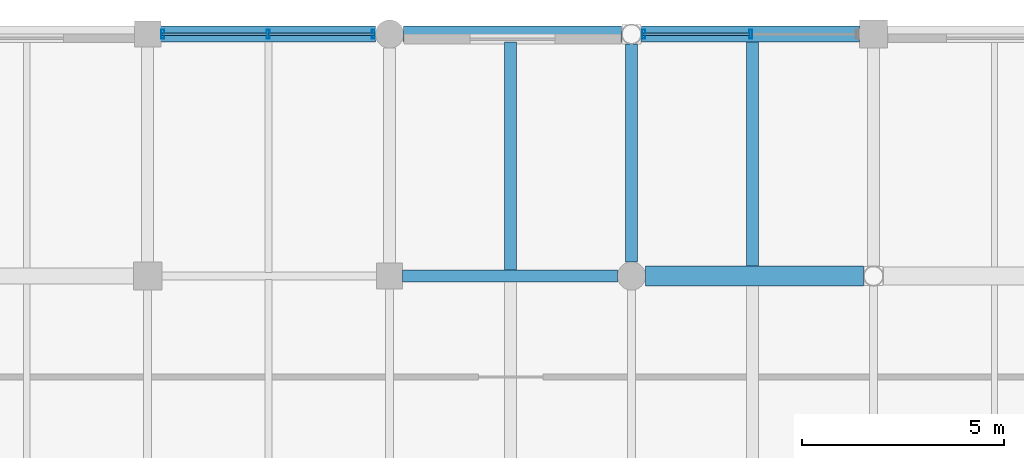
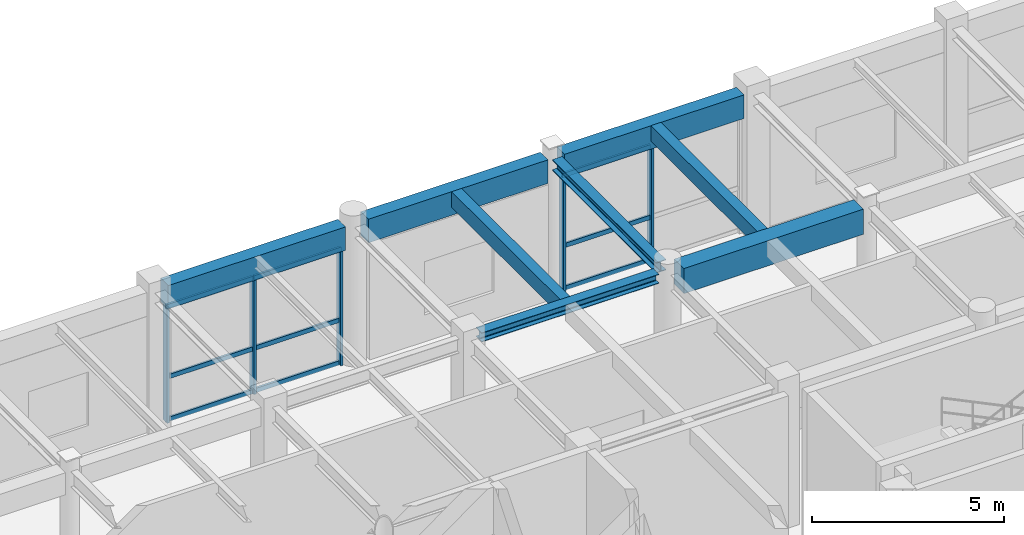
# One storey, part 80 of 123: 14 members, 8 beams, 2 elements without a shape of their own.
"""IFC4 building model written with IfcOpenShell, lengths in metres."""

import ifcopenshell
import ifcopenshell.guid

model = None  # the IFC model being written
_history = None  # IfcOwnerHistory: only IFC2X3 demands one
_inside = {}  # id of a spatial element -> (the spatial element, [elements in it])
_under = {}  # id of a project, library or spatial element -> (it, [spatial elements below it])
_declared = {}  # id of a project -> (the project, [libraries it declares])
_typed = {}  # id of a type object -> (the type object, [elements of that type])
_made_of = {}  # id of a material, layer set ... -> (it, [elements and type objects made of it])


def new_model(schema):
    """Start an empty IFC model of exactly this schema.

    Asked for "IFC4X3", IfcOpenShell would pick the latest addendum, in which some entities
    have other attributes; the version numbers below select the first issue.
    IFC2X3 requires an IfcOwnerHistory on every rooted entity: one is made here for all.
    """
    global model, _history
    if schema == "IFC4X3":
        model = ifcopenshell.file(schema_version=(4, 3, 0, 0))
    else:
        model = ifcopenshell.file(schema=schema)
    _inside.clear()
    _under.clear()
    _declared.clear()
    _typed.clear()
    _made_of.clear()
    _history = None
    if model.schema == "IFC2X3":
        org = make("IfcOrganization", Name="unknown")
        user = make(
            "IfcPersonAndOrganization",
            ThePerson=make("IfcPerson", FamilyName="unknown"),
            TheOrganization=org,
        )
        app = make(
            "IfcApplication",
            ApplicationDeveloper=org,
            Version="unknown",
            ApplicationFullName="unknown",
            ApplicationIdentifier="unknown",
        )
        _history = make(
            "IfcOwnerHistory",
            OwningUser=user,
            OwningApplication=app,
            ChangeAction="ADDED",
            CreationDate=0,
        )
    return model


def make(cls, **values):
    """One entity of the class cls with the attributes given. An attribute that is None is left unset."""
    return model.create_entity(
        cls, **{name: value for name, value in values.items() if value is not None}
    )


def rooted(cls, **values):
    """An entity with a GlobalId (a new one), such as an element, a storey or a relation."""
    return make(cls, GlobalId=ifcopenshell.guid.new(), OwnerHistory=_history, **values)


def si_unit(unit_type, name, prefix=None):
    """IfcSIUnit, for example si_unit("LENGTHUNIT", "METRE", prefix="MILLI")."""
    return make("IfcSIUnit", UnitType=unit_type, Prefix=prefix, Name=name)


def assignment(units):
    """IfcUnitAssignment: the units of a project."""
    return None if units is None else make("IfcUnitAssignment", Units=units)


def point(xyz):
    """IfcCartesianPoint."""
    return None if xyz is None else make("IfcCartesianPoint", Coordinates=xyz)


def direction(xyz):
    """IfcDirection."""
    return None if xyz is None else make("IfcDirection", DirectionRatios=xyz)


def frame(location, z_axis=None, x_axis=None):
    """IfcAxis2Placement3D, a coordinate frame: its origin and axes. An axis left out is left unset."""
    return make(
        "IfcAxis2Placement3D",
        Location=point(location),
        Axis=direction(z_axis),
        RefDirection=direction(x_axis),
    )


def frame_2d(location, x_axis=None):
    """IfcAxis2Placement2D, a coordinate frame in the plane: its origin and x axis."""
    return make(
        "IfcAxis2Placement2D", Location=point(location), RefDirection=direction(x_axis)
    )


def origin():
    """The frame at (0, 0, 0) with its axes left unset."""
    return frame((0.0, 0.0, 0.0))


def origin_2d():
    """The frame at (0, 0) in the plane with its x axis left unset."""
    return frame_2d((0.0, 0.0))


def place(relative_to, where):
    """IfcLocalPlacement: puts the frame where relative to a parent placement (None: the world)."""
    return make(
        "IfcLocalPlacement", PlacementRelTo=relative_to, RelativePlacement=where
    )


def context(
    kind, dimensions, precision=None, world=None, true_north=None, identifier=None
):
    """IfcGeometricRepresentationContext, for example the 3D "Model" context."""
    return make(
        "IfcGeometricRepresentationContext",
        ContextIdentifier=identifier,
        ContextType=kind,
        CoordinateSpaceDimension=dimensions,
        Precision=precision,
        WorldCoordinateSystem=world,
        TrueNorth=true_north,
    )


def subcontext(parent, identifier, kind, view, scale=None):
    """IfcGeometricRepresentationSubContext, for example "Body" below "Model"."""
    return make(
        "IfcGeometricRepresentationSubContext",
        ContextIdentifier=identifier,
        ContextType=kind,
        ParentContext=parent,
        TargetScale=scale,
        TargetView=view,
    )


def project(units=None, contexts=None):
    """IfcProject with its units and contexts."""
    return rooted(
        "IfcProject",
        Name="project",
        RepresentationContexts=contexts,
        UnitsInContext=assignment(units),
    )


def spatial(cls, under=None, at=None, **own):
    """A site, building, storey or space (cls), placed at a placement, below another one or the project."""
    s = rooted(cls, ObjectPlacement=at, **own)
    if under is not None:
        _under.setdefault(under.id(), (under, []))[1].append(s)
    return s


def profile(cls, at=None, kind="AREA", **sizes):
    """A parametric profile (cls). Its sizes go by their IFC names, for example OverallWidth=200.0."""
    return make(cls, ProfileType=kind, Position=at, **sizes)


def rectangle(**sizes):
    """IfcRectangleProfileDef."""
    return profile("IfcRectangleProfileDef", **sizes)


def hollow_rectangle(**sizes):
    """IfcRectangleHollowProfileDef."""
    return profile("IfcRectangleHollowProfileDef", **sizes)


def i_section(**sizes):
    """IfcIShapeProfileDef."""
    return profile("IfcIShapeProfileDef", **sizes)


def extrude(swept, where, along, depth):
    """IfcExtrudedAreaSolid: the profile swept, set in the frame where, extruded along a direction by depth."""
    return make(
        "IfcExtrudedAreaSolid",
        SweptArea=swept,
        Position=where,
        ExtrudedDirection=direction(along),
        Depth=depth,
    )


def shape(context_of_items, identifier, shape_type, items):
    """IfcShapeRepresentation: the items that make up one representation, for example the "Body"."""
    return make(
        "IfcShapeRepresentation",
        ContextOfItems=context_of_items,
        RepresentationIdentifier=identifier,
        RepresentationType=shape_type,
        Items=items,
    )


def material(Name=None, Category=None):
    """IfcMaterial."""
    return make("IfcMaterial", Name=Name, Category=Category)


def material_profile(
    of_material, cross_section, Name=None, Category=None, Priority=None
):
    """IfcMaterialProfile: a cross section and its material."""
    return make(
        "IfcMaterialProfile",
        Name=Name,
        Material=of_material,
        Profile=cross_section,
        Priority=Priority,
        Category=Category,
    )


def profile_set(profiles, Name=None, composite=None):
    """IfcMaterialProfileSet."""
    return make(
        "IfcMaterialProfileSet",
        Name=Name,
        MaterialProfiles=profiles,
        CompositeProfile=composite,
    )


def made_of(thing, what):
    """Note that an element or type object is made of a material, layer set ...; save() writes the relation."""
    if what is not None:
        _made_of.setdefault(what.id(), (what, []))[1].append(thing)
    return thing


def type_object(cls, material=None, **own):
    """A type object (cls), such as IfcWallType, which elements share."""
    return made_of(rooted(cls, **own), material)


def element(
    cls,
    number,
    at=None,
    inside=None,
    cuts=None,
    type_object=None,
    material=None,
    context=None,
    identifier="Body",
    shape_type=None,
    held_by="IfcProductDefinitionShape",
    body=None,
    shapes=None,
    **own,
):
    """One element of the class cls, such as IfcWall. Its Tag is "e" and its number.

    at: its placement. inside: the storey or other place that contains it. cuts: it is an
    opening in that element (IfcRelVoidsElement). A single representation is given by context,
    identifier, shape_type and body (its items); several are given by shapes. held_by: the class
    of the entity that holds the representations. save() writes the other relations.
    """
    e = rooted(cls, Tag="e%d" % number, ObjectPlacement=at, **own)
    if body is not None:
        shapes = [shape(context, identifier, shape_type, body)]
    if shapes is not None:
        e.Representation = make(held_by, Representations=shapes)
    if inside is not None:
        _inside.setdefault(inside.id(), (inside, []))[1].append(e)
    if cuts is not None:
        rooted(
            "IfcRelVoidsElement", RelatingBuildingElement=cuts, RelatedOpeningElement=e
        )
    if type_object is not None:
        _typed.setdefault(type_object.id(), (type_object, []))[1].append(e)
    return made_of(e, material)


def aggregate(whole, parts):
    """IfcRelAggregates: a whole, such as a stair, and the parts it consists of."""
    return rooted("IfcRelAggregates", RelatingObject=whole, RelatedObjects=parts)


def save(model, path):
    """Write the relations noted so far, then the file.

    IfcRelAggregates (storeys below a building ...), IfcRelContainedInSpatialStructure (elements
    in a storey), IfcRelDefinesByType, IfcRelAssociatesMaterial and IfcRelDeclares: one each for
    every whole, place, type object, material and project.
    """
    for whole, parts in _under.values():
        aggregate(whole, parts)
    for where, things in _inside.values():
        rooted(
            "IfcRelContainedInSpatialStructure",
            RelatedElements=things,
            RelatingStructure=where,
        )
    for kind, things in _typed.values():
        rooted("IfcRelDefinesByType", RelatedObjects=things, RelatingType=kind)
    for what, things in _made_of.values():
        rooted("IfcRelAssociatesMaterial", RelatedObjects=things, RelatingMaterial=what)
    for by, libraries in _declared.values():
        rooted("IfcRelDeclares", RelatingContext=by, RelatedDefinitions=libraries)
    model.write(path)


model = new_model("IFC4")

# Units and contexts
model_context = context("Model", 3, precision=1e-05, world=origin(), true_north=direction((0.0, 1.0)))
body_context = subcontext(model_context, "Body", "Model", "MODEL_VIEW")
ifc_project = project(units=[si_unit("LENGTHUNIT", "METRE"), si_unit("AREAUNIT", "SQUARE_METRE"), si_unit("VOLUMEUNIT", "CUBIC_METRE"), si_unit("PLANEANGLEUNIT", "RADIAN"), si_unit("MASSUNIT", "GRAM", prefix="KILO"), si_unit("THERMODYNAMICTEMPERATUREUNIT", "KELVIN"), si_unit("POWERUNIT", "WATT")], contexts=[model_context])

# Site, building, storey
site_placement = place(None, origin())
site = spatial("IfcSite", under=ifc_project, at=site_placement, CompositionType="ELEMENT")
building_placement = place(site_placement, origin())
building = spatial("IfcBuilding", under=site, at=building_placement, Name="Phaisarnlok Congress Hotel", CompositionType="ELEMENT")
storey_placement = place(building_placement, frame((0.0, 0.0, 15.0)))
storey = spatial("IfcBuildingStorey", under=building, at=storey_placement, Name="L03", CompositionType="ELEMENT", Elevation=15.0)

# Beams
ifc_material_1 = material(Name="Concrete C40/50", Category="concrete")
ifc_material_profile_1 = material_profile(ifc_material_1, rectangle(XDim=0.5, YDim=0.800048828125, at=origin_2d()), Name="RC 500x800")
ifc_profile_set_1 = profile_set([ifc_material_profile_1], Name="Concrete C40/50")
beam_type_1 = type_object("IfcBeamType", Name="BM-RC-500x800", PredefinedType="BEAM", material=ifc_profile_set_1)
beam_1_placement = place(storey_placement, frame((156.344970703125, 120.0, 4.050048828125), z_axis=(1.0, 0.0, 0.0), x_axis=(0.0, 1.0, 0.0)))
element("IfcBeam", 1, at=beam_1_placement, inside=storey, type_object=beam_type_1, Name="Beam B-04", PredefinedType="BEAM", context=body_context, shape_type="SweptSolid", body=[
    extrude(rectangle(XDim=0.5, YDim=0.800048828125, at=origin_2d()), origin(), (0.0, 0.0, 1.0), 5.406005859375),
])
ifc_material_2 = material(Name="Steel S355", Category="steel")
ifc_material_profile_2 = material_profile(ifc_material_2, i_section(OverallWidth=0.300048828125, OverallDepth=0.2900390625, WebThickness=0.008544921875, FlangeThickness=0.013916015625, FilletRadius=0.027099609375, at=origin_2d()), Name="HEA 300")
ifc_profile_set_2 = profile_set([ifc_material_profile_2], Name="Steel S355")
beam_type_2 = type_object("IfcBeamType", Name="BM-STL-HEA300", PredefinedType="BEAM", material=ifc_profile_set_2)
beam_2_placement = place(storey_placement, frame((150.320068359375, 120.0, 4.304931640625), z_axis=(1.0, 0.0, 0.0), x_axis=(0.0, 1.0, 0.0)))
element("IfcBeam", 2, at=beam_2_placement, inside=storey, type_object=beam_type_2, Name="Beam SB-05", PredefinedType="BEAM", context=body_context, shape_type="SweptSolid", body=[
    extrude(i_section(OverallWidth=0.300048828125, OverallDepth=0.2900390625, WebThickness=0.008544921875, FlangeThickness=0.013916015625, FilletRadius=0.027099609375, at=origin_2d()), origin(), (0.0, 0.0, 1.0), 5.3349609375),
])
ifc_material_profile_3 = material_profile(ifc_material_2, i_section(OverallWidth=0.300048828125, OverallDepth=0.340087890625, WebThickness=0.011962890625, FlangeThickness=0.021484375, FilletRadius=0.027099609375, at=origin_2d()), Name="HEB 340")
ifc_profile_set_3 = profile_set([ifc_material_profile_3], Name="Steel S355")
beam_type_3 = type_object("IfcBeamType", Name="BM-STL-HEB340", PredefinedType="BEAM", material=ifc_profile_set_3)
beam_3_placement = place(storey_placement, frame((156.0, 120.344970703125, 4.280029296875), z_axis=(0.0, 1.0, 0.0), x_axis=(-1.0, 0.0, 0.0)))
element("IfcBeam", 3, at=beam_3_placement, inside=storey, type_object=beam_type_3, Name="Beam SB-07", PredefinedType="BEAM", context=body_context, shape_type="SweptSolid", body=[
    extrude(i_section(OverallWidth=0.300048828125, OverallDepth=0.340087890625, WebThickness=0.011962890625, FlangeThickness=0.021484375, FilletRadius=0.027099609375, at=origin_2d()), origin(), (0.0, 0.0, 1.0), 5.406005859375),
])

# Curtain wall, members
ifc_material_3 = material(Name="Thermally Broken Unitised Aluminium & Low-E Glazing", Category="aluminium")
curtain_wall_type_1 = type_object("IfcCurtainWallType", Name="CW-UNIT-31", PredefinedType="NOTDEFINED", material=ifc_material_3)
curtain_wall_1_placement = place(storey_placement, origin())
curtain_wall_1 = element("IfcCurtainWall", 4, at=curtain_wall_1_placement, inside=storey, type_object=curtain_wall_type_1, Name="Unitised curtain wall CW-31 (L03)", PredefinedType="NOTDEFINED")
ifc_material_4 = material(Name="Anodised Aluminium Alloy 6063-T6", Category="aluminium")
ifc_material_profile_4 = material_profile(ifc_material_4, hollow_rectangle(XDim=0.074951171875, YDim=0.219970703125, WallThickness=0.0048828125, at=origin_2d()), Name="ALU-M 75x220x5")
ifc_profile_set_4 = profile_set([ifc_material_profile_4], Name="Anodised Aluminium Alloy 6063-T6")
member_type_1 = type_object("IfcMemberType", Name="CWM-220", PredefinedType="MULLION", material=ifc_profile_set_4)
member_1_placement = place(storey_placement, frame((158.951904296875, 126.0, 0.0), z_axis=(0.0, 0.0, 1.0), x_axis=(-1.0, 0.0, 0.0)))
member_1 = element("IfcMember", 5, at=member_1_placement, type_object=member_type_1, Name="Curtain wall mullion CWM-02", PredefinedType="MULLION", context=body_context, shape_type="SweptSolid", body=[
    extrude(hollow_rectangle(XDim=0.074951171875, YDim=0.219970703125, WallThickness=0.0048828125, at=origin_2d()), origin(), (0.0, 0.0, 1.0), 3.699951171875),
])
member_2_placement = place(storey_placement, frame((156.303955078125, 126.0, 0.0), z_axis=(0.0, 0.0, 1.0), x_axis=(-1.0, 0.0, 0.0)))
member_2 = element("IfcMember", 6, at=member_2_placement, type_object=member_type_1, Name="Curtain wall mullion CWM-02", PredefinedType="MULLION", context=body_context, shape_type="SweptSolid", body=[
    extrude(hollow_rectangle(XDim=0.074951171875, YDim=0.219970703125, WallThickness=0.0048828125, at=origin_2d()), origin(), (0.0, 0.0, 1.0), 3.699951171875),
])

curtain_wall_type_2 = type_object("IfcCurtainWallType", Name="CW-UNIT-30", PredefinedType="NOTDEFINED", material=ifc_material_3)
curtain_wall_2_placement = place(storey_placement, origin())
curtain_wall_2 = element("IfcCurtainWall", 7, at=curtain_wall_2_placement, inside=storey, type_object=curtain_wall_type_2, Name="Unitised curtain wall CW-30 (L03)", PredefinedType="NOTDEFINED")
member_3_placement = place(storey_placement, frame((149.60009765625, 126.0, 0.0), z_axis=(0.0, 0.0, 1.0), x_axis=(-1.0, 0.0, 0.0)))
member_3 = element("IfcMember", 8, at=member_3_placement, type_object=member_type_1, Name="Curtain wall mullion CWM-02", PredefinedType="MULLION", context=body_context, shape_type="SweptSolid", body=[
    extrude(hollow_rectangle(XDim=0.074951171875, YDim=0.219970703125, WallThickness=0.0048828125, at=origin_2d()), origin(), (0.0, 0.0, 1.0), 3.699951171875),
])
member_4_placement = place(storey_placement, frame((146.987548828125, 126.0, 0.0), z_axis=(0.0, 0.0, 1.0), x_axis=(-1.0, 0.0, 0.0)))
member_4 = element("IfcMember", 9, at=member_4_placement, type_object=member_type_1, Name="Curtain wall mullion CWM-02", PredefinedType="MULLION", context=body_context, shape_type="SweptSolid", body=[
    extrude(hollow_rectangle(XDim=0.074951171875, YDim=0.219970703125, WallThickness=0.0048828125, at=origin_2d()), origin(), (0.0, 0.0, 1.0), 3.699951171875),
])
member_5_placement = place(storey_placement, frame((144.375, 126.0, 0.0), z_axis=(0.0, 0.0, 1.0), x_axis=(-1.0, 0.0, 0.0)))
member_5 = element("IfcMember", 10, at=member_5_placement, type_object=member_type_1, Name="Curtain wall mullion CWM-02", PredefinedType="MULLION", context=body_context, shape_type="SweptSolid", body=[
    extrude(hollow_rectangle(XDim=0.074951171875, YDim=0.219970703125, WallThickness=0.0048828125, at=origin_2d()), origin(), (0.0, 0.0, 1.0), 3.699951171875),
])

# Member
ifc_material_profile_5 = material_profile(ifc_material_4, hollow_rectangle(XDim=0.06494140625, YDim=0.139892578125, WallThickness=0.00390625, at=origin_2d()), Name="ALU-T 65x140x4")
ifc_profile_set_5 = profile_set([ifc_material_profile_5], Name="Anodised Aluminium Alloy 6063-T6")
member_type_2 = type_object("IfcMemberType", Name="CWT-150", PredefinedType="USERDEFINED", material=ifc_profile_set_5)
member_6_placement = place(storey_placement, frame((158.93701171875, 126.0, 0.050048828125), z_axis=(-1.0, 0.0, 0.0), x_axis=(0.0, -1.0, 0.0)))
member_6 = element("IfcMember", 11, at=member_6_placement, type_object=member_type_2, Name="Curtain wall transom CWT-01", ObjectType="TRANSOM", PredefinedType="USERDEFINED", context=body_context, shape_type="SweptSolid", body=[
    extrude(hollow_rectangle(XDim=0.06494140625, YDim=0.139892578125, WallThickness=0.00390625, at=origin_2d()), origin(), (0.0, 0.0, 1.0), 2.657958984375),
])

member_7_placement = place(storey_placement, frame((158.93701171875, 126.0, 1.406005859375), z_axis=(-1.0, 0.0, 0.0), x_axis=(0.0, -1.0, 0.0)))
member_7 = element("IfcMember", 12, at=member_7_placement, type_object=member_type_2, Name="Curtain wall transom CWT-01", ObjectType="TRANSOM", PredefinedType="USERDEFINED", context=body_context, shape_type="SweptSolid", body=[
    extrude(hollow_rectangle(XDim=0.06494140625, YDim=0.139892578125, WallThickness=0.00390625, at=origin_2d()), origin(), (0.0, 0.0, 1.0), 2.657958984375),
])

member_8_placement = place(storey_placement, frame((158.93701171875, 126.0, 3.64990234375), z_axis=(-1.0, 0.0, 0.0), x_axis=(0.0, -1.0, 0.0)))
member_8 = element("IfcMember", 13, at=member_8_placement, type_object=member_type_2, Name="Curtain wall transom CWT-01", ObjectType="TRANSOM", PredefinedType="USERDEFINED", context=body_context, shape_type="SweptSolid", body=[
    extrude(hollow_rectangle(XDim=0.06494140625, YDim=0.139892578125, WallThickness=0.00390625, at=origin_2d()), origin(), (0.0, 0.0, 1.0), 2.657958984375),
])

aggregate(curtain_wall_1, [member_1, member_2, member_6, member_7, member_8])

member_9_placement = place(storey_placement, frame((149.625, 126.0, 0.050048828125), z_axis=(-1.0, 0.0, 0.0), x_axis=(0.0, -1.0, 0.0)))
member_9 = element("IfcMember", 14, at=member_9_placement, type_object=member_type_2, Name="Curtain wall transom CWT-01", ObjectType="TRANSOM", PredefinedType="USERDEFINED", context=body_context, shape_type="SweptSolid", body=[
    extrude(hollow_rectangle(XDim=0.06494140625, YDim=0.139892578125, WallThickness=0.00390625, at=origin_2d()), origin(), (0.0, 0.0, 1.0), 2.62255859375),
])

member_10_placement = place(storey_placement, frame((149.625, 126.0, 1.406005859375), z_axis=(-1.0, 0.0, 0.0), x_axis=(0.0, -1.0, 0.0)))
member_10 = element("IfcMember", 15, at=member_10_placement, type_object=member_type_2, Name="Curtain wall transom CWT-01", ObjectType="TRANSOM", PredefinedType="USERDEFINED", context=body_context, shape_type="SweptSolid", body=[
    extrude(hollow_rectangle(XDim=0.06494140625, YDim=0.139892578125, WallThickness=0.00390625, at=origin_2d()), origin(), (0.0, 0.0, 1.0), 2.62255859375),
])

member_11_placement = place(storey_placement, frame((149.625, 126.0, 3.64990234375), z_axis=(-1.0, 0.0, 0.0), x_axis=(0.0, -1.0, 0.0)))
member_11 = element("IfcMember", 16, at=member_11_placement, type_object=member_type_2, Name="Curtain wall transom CWT-01", ObjectType="TRANSOM", PredefinedType="USERDEFINED", context=body_context, shape_type="SweptSolid", body=[
    extrude(hollow_rectangle(XDim=0.06494140625, YDim=0.139892578125, WallThickness=0.00390625, at=origin_2d()), origin(), (0.0, 0.0, 1.0), 2.62255859375),
])

member_12_placement = place(storey_placement, frame((146.972412109375, 126.0, 0.050048828125), z_axis=(-1.0, 0.0, 0.0), x_axis=(0.0, -1.0, 0.0)))
member_12 = element("IfcMember", 17, at=member_12_placement, type_object=member_type_2, Name="Curtain wall transom CWT-01", ObjectType="TRANSOM", PredefinedType="USERDEFINED", context=body_context, shape_type="SweptSolid", body=[
    extrude(hollow_rectangle(XDim=0.06494140625, YDim=0.139892578125, WallThickness=0.00390625, at=origin_2d()), origin(), (0.0, 0.0, 1.0), 2.622314453125),
])

member_13_placement = place(storey_placement, frame((146.972412109375, 126.0, 1.406005859375), z_axis=(-1.0, 0.0, 0.0), x_axis=(0.0, -1.0, 0.0)))
member_13 = element("IfcMember", 18, at=member_13_placement, type_object=member_type_2, Name="Curtain wall transom CWT-01", ObjectType="TRANSOM", PredefinedType="USERDEFINED", context=body_context, shape_type="SweptSolid", body=[
    extrude(hollow_rectangle(XDim=0.06494140625, YDim=0.139892578125, WallThickness=0.00390625, at=origin_2d()), origin(), (0.0, 0.0, 1.0), 2.622314453125),
])

member_14_placement = place(storey_placement, frame((146.972412109375, 126.0, 3.64990234375), z_axis=(-1.0, 0.0, 0.0), x_axis=(0.0, -1.0, 0.0)))
member_14 = element("IfcMember", 19, at=member_14_placement, type_object=member_type_2, Name="Curtain wall transom CWT-01", ObjectType="TRANSOM", PredefinedType="USERDEFINED", context=body_context, shape_type="SweptSolid", body=[
    extrude(hollow_rectangle(XDim=0.06494140625, YDim=0.139892578125, WallThickness=0.00390625, at=origin_2d()), origin(), (0.0, 0.0, 1.0), 2.622314453125),
])

aggregate(curtain_wall_2, [member_3, member_4, member_5, member_9, member_10, member_11, member_12, member_13, member_14])

# Beams
ifc_material_profile_6 = material_profile(ifc_material_1, rectangle(XDim=0.300048828125, YDim=0.5, at=origin_2d()), Name="RC 300x500")
ifc_profile_set_6 = profile_set([ifc_material_profile_6], Name="Concrete C40/50")
beam_type_4 = type_object("IfcBeamType", Name="JS-RC-300x500", PredefinedType="JOIST", material=ifc_profile_set_6)
beam_4_placement = place(storey_placement, frame((153.0, 120.14501953125, 4.199951171875), z_axis=(0.0, 1.0, 0.0), x_axis=(-1.0, 0.0, 0.0)))
element("IfcBeam", 20, at=beam_4_placement, inside=storey, type_object=beam_type_4, Name="Secondary floor joist J-01", PredefinedType="JOIST", context=body_context, shape_type="SweptSolid", body=[
    extrude(rectangle(XDim=0.300048828125, YDim=0.5, at=origin_2d()), origin(), (0.0, 0.0, 1.0), 5.659912109375),
])
beam_5_placement = place(storey_placement, frame((159.0, 120.2451171875, 4.199951171875), z_axis=(0.0, 1.0, 0.0), x_axis=(-1.0, 0.0, 0.0)))
element("IfcBeam", 21, at=beam_5_placement, inside=storey, type_object=beam_type_4, Name="Secondary floor joist J-01", PredefinedType="JOIST", context=body_context, shape_type="SweptSolid", body=[
    extrude(rectangle(XDim=0.300048828125, YDim=0.5, at=origin_2d()), origin(), (0.0, 0.0, 1.0), 5.559814453125),
])
ifc_material_profile_7 = material_profile(ifc_material_1, rectangle(XDim=0.39990234375, YDim=0.75, at=origin_2d()), Name="RC 400x750")
ifc_profile_set_7 = profile_set([ifc_material_profile_7], Name="Concrete C40/50")
beam_type_5 = type_object("IfcBeamType", Name="SP-RC-400x750", PredefinedType="SPANDREL", material=ifc_profile_set_7)
beam_6_placement = place(storey_placement, frame((144.320068359375, 126.0, 4.074951171875), z_axis=(1.0, 0.0, 0.0), x_axis=(0.0, 1.0, 0.0)))
element("IfcBeam", 22, at=beam_6_placement, inside=storey, type_object=beam_type_5, Name="Beam SP-02", PredefinedType="SPANDREL", context=body_context, shape_type="SweptSolid", body=[
    extrude(rectangle(XDim=0.39990234375, YDim=0.75, at=origin_2d()), origin(), (0.0, 0.0, 1.0), 5.3349609375),
])
for number, where, z_axis, x_axis, name in (
    (23, (150.344970703125, 126.0, 4.074951171875), (1.0, 0.0, 0.0), (0.0, 1.0, 0.0), "Beam SP-02"),
    (24, (156.2490234375, 126.0, 4.074951171875), (1.0, 0.0, 0.0), (0.0, 1.0, 0.0), "Beam SP-02"),
):
    element("IfcBeam", number, at=place(storey_placement, frame(where, z_axis=z_axis, x_axis=x_axis)), inside=storey, type_object=beam_type_5, Name=name, PredefinedType="SPANDREL", context=body_context, shape_type="SweptSolid", body=[
        extrude(rectangle(XDim=0.39990234375, YDim=0.75, at=origin_2d()), origin(), (0.0, 0.0, 1.0), 5.406005859375),
    ])

save(model, "model.ifc")
